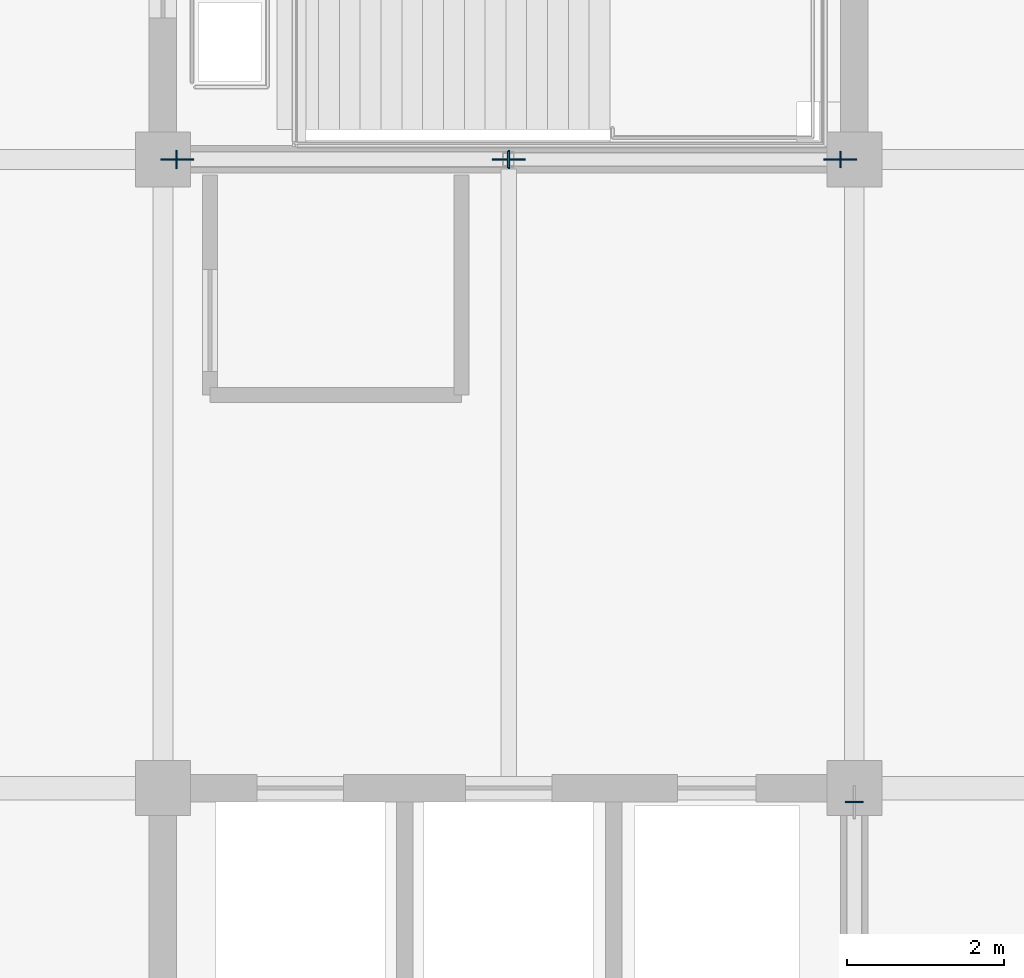
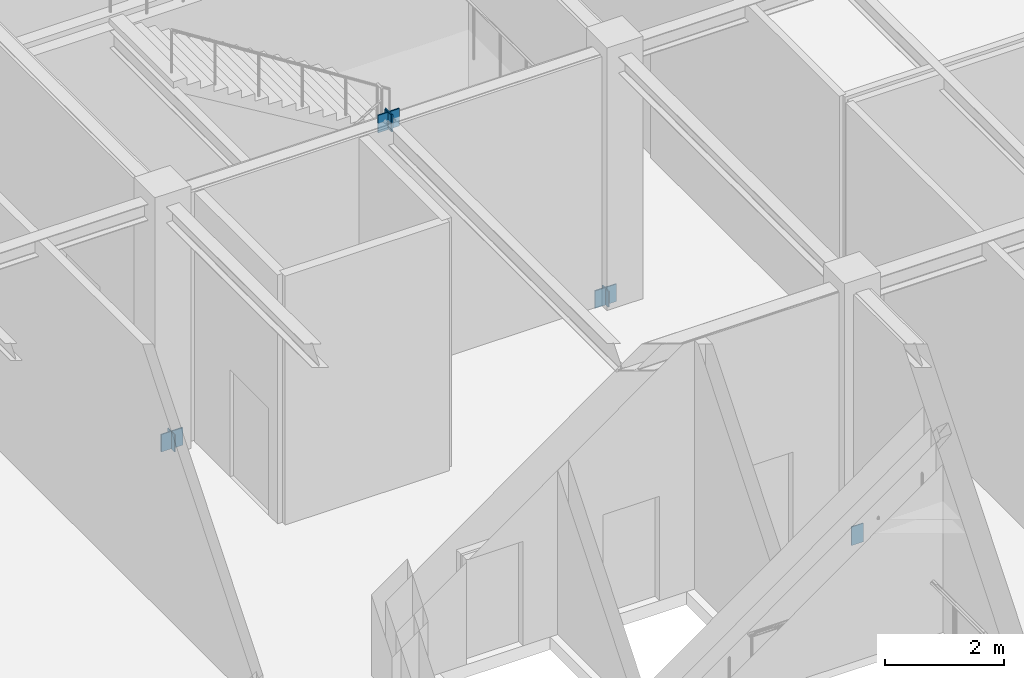
# One storey, part 74 of 108: 8 plates.
"""IFC4 building model written with IfcOpenShell, lengths in metres."""

from ifc_helpers import new_model, si_unit, direction, frame, origin, origin_2d, place, context, subcontext, project, spatial, rectangle, extrude, material, layer, layer_set, type_object, element, save


model = new_model("IFC4")

# Units and contexts
model_context = context("Model", 3, precision=1e-05, world=origin(), true_north=direction((0.0, 1.0)))
body_context = subcontext(model_context, "Body", "Model", "MODEL_VIEW")
ifc_project = project(units=[si_unit("LENGTHUNIT", "METRE"), si_unit("AREAUNIT", "SQUARE_METRE"), si_unit("VOLUMEUNIT", "CUBIC_METRE"), si_unit("PLANEANGLEUNIT", "RADIAN"), si_unit("MASSUNIT", "GRAM", prefix="KILO")], contexts=[model_context])

# Site, building, storey
site_placement = place(None, origin())
site = spatial("IfcSite", under=ifc_project, at=site_placement, CompositionType="ELEMENT")
building_placement = place(site_placement, origin())
building = spatial("IfcBuilding", under=site, at=building_placement, Name="Zhaolan Boulevard Law Courts", CompositionType="ELEMENT")
storey_placement = place(building_placement, frame((0.0, 0.0, 10.800048828125)))
storey = spatial("IfcBuildingStorey", under=building, at=storey_placement, Name="L02", CompositionType="ELEMENT", Elevation=10.800048828125)

# Plates
ifc_material_1 = material(Name="Structural steel Q355B", Category="steel")
ifc_layer_1 = layer(ifc_material_1, 0.02392578125)
ifc_layer_set_1 = layer_set([ifc_layer_1])
plate_type_1 = type_object("IfcPlateType", Name="BRACE GUSSET PLATE 24", PredefinedType="SHEET", material=ifc_layer_set_1)
for number, where, z_axis, x_axis, name in (
    (1, (17.780029296875, 62.0, -0.14990234375), (0.0, 0.0, 1.0), (1.0, 0.0, 0.0), "Brace Gusset Connection Plate GP-W2-L02-SA1"),
    (2, (26.219970703125, 62.0, -0.14990234375), (0.0, 0.0, 1.0), (1.0, 0.0, 0.0), "Brace Gusset Connection Plate GP-W2-L02-SA2"),
    (3, (22.0, 62.0, 4.93994140625), (0.0, 0.0, 1.0), (1.0, 0.0, 0.0), "Brace Gusset Connection Plate GP-W2-L02-SAPX"),
):
    element("IfcPlate", number, at=place(storey_placement, frame(where, z_axis=z_axis, x_axis=x_axis)), inside=storey, type_object=plate_type_1, Name=name, PredefinedType="SHEET", context=body_context, shape_type="SweptSolid", body=[
        extrude(rectangle(XDim=0.419921875, YDim=0.02392578125, at=origin_2d()), origin(), (0.0, 0.0, 1.0), 0.360107421875),
    ])
ifc_material_2 = material(Name="Structural steel Q355B", Category="steel")
ifc_layer_2 = layer(ifc_material_2, 0.02001953125)
ifc_layer_set_2 = layer_set([ifc_layer_2])
plate_type_2 = type_object("IfcPlateType", Name="END CAP PLATE 20", PredefinedType="SHEET", material=ifc_layer_set_2)
plate_placement = place(storey_placement, frame((26.39990234375, 53.82470703125, -0.16796875), z_axis=(0.0, 0.0, 1.0), x_axis=(0.0, -1.0, 0.0)))
element("IfcPlate", 4, at=plate_placement, inside=storey, type_object=plate_type_2, Name="Hollow Section End-Cap Plate ECP-1077", PredefinedType="SHEET", context=body_context, shape_type="SweptSolid", body=[
    extrude(rectangle(XDim=0.02001953125, YDim=0.22998046875, at=origin_2d()), origin(), (0.0, 0.0, 1.0), 0.383056640625),
])
for number, where, z_axis, x_axis, name in (
    (5, (17.77490234375, 62.0, -0.15625), (0.0, 0.0, 1.0), (1.0, 0.0, 0.0), "Hollow Section End-Cap Plate ECP-1163"),
    (6, (22.005126953125, 62.0, 4.9462890625), (0.0, 0.0, 1.0), (1.0, 0.0, 0.0), "Hollow Section End-Cap Plate ECP-1164"),
):
    element("IfcPlate", number, at=place(storey_placement, frame(where, z_axis=z_axis, x_axis=x_axis)), inside=storey, type_object=plate_type_2, Name=name, PredefinedType="SHEET", context=body_context, shape_type="SweptSolid", body=[
        extrude(rectangle(XDim=0.02001953125, YDim=0.22998046875, at=origin_2d()), origin(), (0.0, 0.0, 1.0), 0.360107421875),
    ])
for number, where, z_axis, x_axis, name in (
    (7, (26.22509765625, 62.0, -0.140869140625), (0.0, 0.0, 1.0), (-1.0, 0.0, 0.0), "Hollow Section End-Cap Plate ECP-1165"),
    (8, (21.994873046875, 62.0, 4.961669921875), (0.0, 0.0, 1.0), (-1.0, 0.0, 0.0), "Hollow Section End-Cap Plate ECP-1166"),
):
    element("IfcPlate", number, at=place(storey_placement, frame(where, z_axis=z_axis, x_axis=x_axis)), inside=storey, type_object=plate_type_2, Name=name, PredefinedType="SHEET", context=body_context, shape_type="SweptSolid", body=[
        extrude(rectangle(XDim=0.02001953125, YDim=0.2099609375, at=origin_2d()), origin(), (0.0, 0.0, 1.0), 0.3291015625),
    ])

save(model, "model.ifc")
